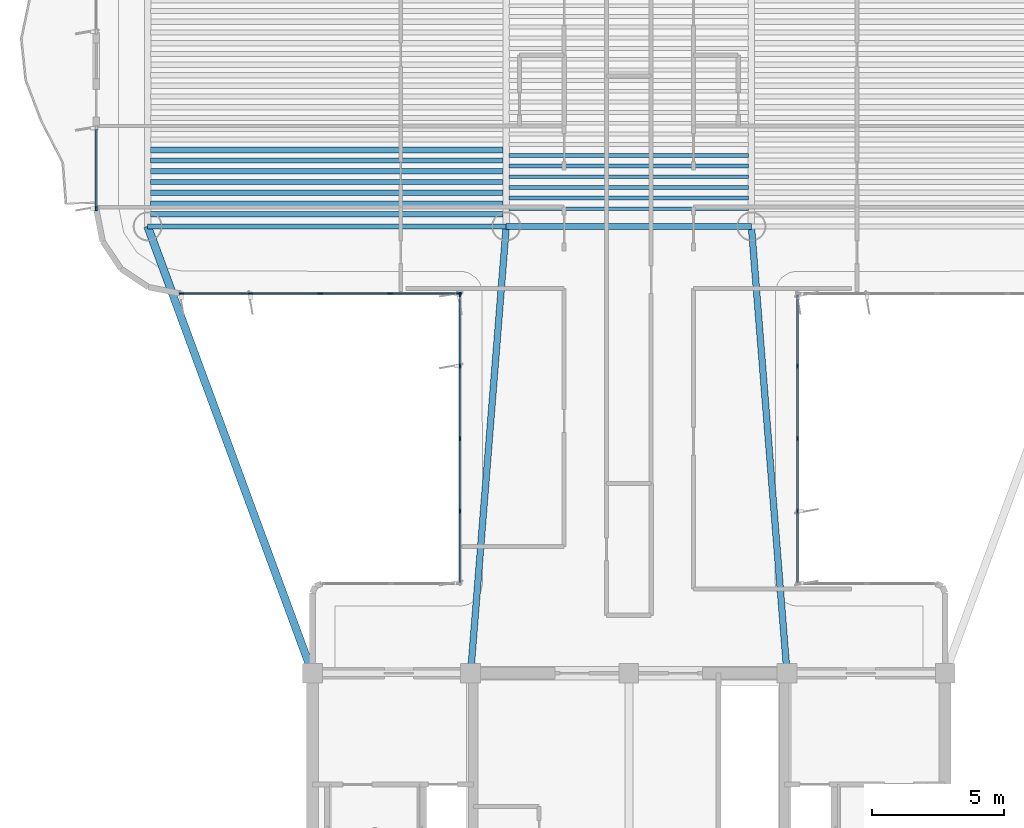
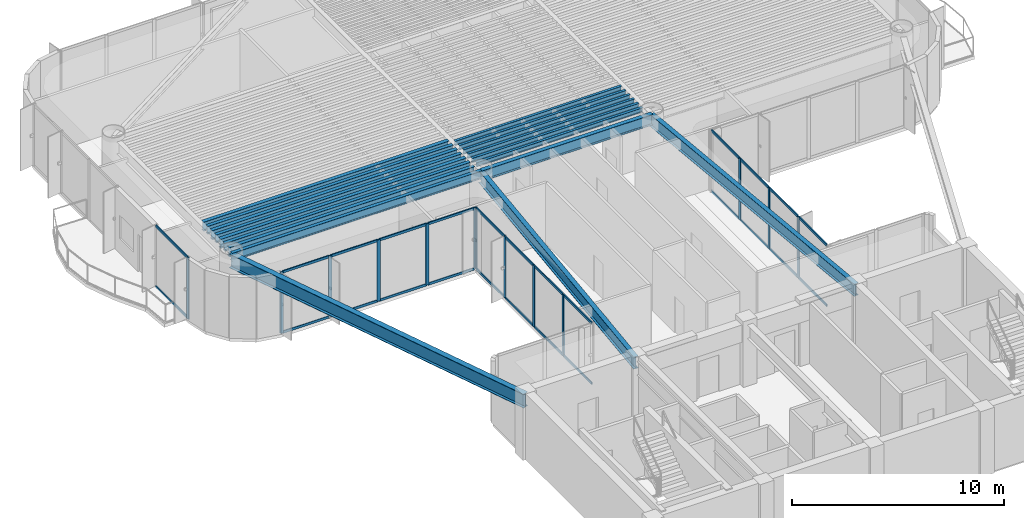
# One storey, part 3 of 15: 39 members, 18 beams, 4 elements without a shape of their own.
"""IFC4 building model written with IfcOpenShell, lengths in metres."""

from ifc_helpers import new_model, si_unit, direction, frame, origin, origin_2d, place, context, subcontext, project, spatial, rectangle, i_section, extrude, source, transform, mapped, material, layer, layer_set, material_profile, profile_set, type_object, element, aggregate, save


model = new_model("IFC4")

# Units and contexts
model_context = context("Model", 3, precision=1e-05, world=origin(), true_north=direction((0.0, 1.0)))
body_context = subcontext(model_context, "Body", "Model", "MODEL_VIEW")
ifc_project = project(units=[si_unit("LENGTHUNIT", "METRE"), si_unit("AREAUNIT", "SQUARE_METRE"), si_unit("VOLUMEUNIT", "CUBIC_METRE"), si_unit("PLANEANGLEUNIT", "RADIAN"), si_unit("MASSUNIT", "GRAM", prefix="KILO")], contexts=[model_context])

# Site, building, storey
site_placement = place(None, origin())
site = spatial("IfcSite", under=ifc_project, at=site_placement, CompositionType="ELEMENT")
building_placement = place(site_placement, origin())
building = spatial("IfcBuilding", under=site, at=building_placement, Name="Brelvock Crest Care Tower", CompositionType="ELEMENT")
storey_placement = place(building_placement, frame((0.0, 0.0, 171.5400390625)))
storey = spatial("IfcBuildingStorey", under=building, at=storey_placement, Name="L43", CompositionType="ELEMENT", Elevation=171.5400390625)

# Beams
ifc_material_1 = material(Name="Steel Grade 350", Category="steel")
ifc_material_profile_1 = material_profile(ifc_material_1, i_section(OverallWidth=0.22900390625, OverallDepth=0.612060546875, WebThickness=0.011962890625, FlangeThickness=0.01953125, FilletRadius=0.013916015625, at=origin_2d()), Name="610UB125")
ifc_profile_set_1 = profile_set([ifc_material_profile_1], Name="Steel Grade 350")
beam_type_1 = type_object("IfcBeamType", Name="BM-G1", PredefinedType="BEAM", material=ifc_profile_set_1)
shared_shape_1 = source(origin(), body_context, "Body", "SweptSolid", [
    extrude(i_section(OverallWidth=0.22900390625, OverallDepth=0.612060546875, WebThickness=0.011962890625, FlangeThickness=0.01953125, FilletRadius=0.013916015625, at=origin_2d()), origin(), (0.0, 0.0, 1.0), 9.2998046875),
])
beam_1_placement = place(storey_placement, frame((31.35009765625, 34.949951171875, 3.223876953125), z_axis=(1.0, 0.0, 0.0), x_axis=(0.0, 1.0, 0.0)))
element("IfcBeam", 1, at=beam_1_placement, inside=storey, type_object=beam_type_1, Name="BM-TWR-L43-05", PredefinedType="BEAM", context=body_context, shape_type="MappedRepresentation", body=[
    mapped(shared_shape_1, transform((0.0, 0.0, 0.0), x_axis=(1.0, 0.0, 0.0), y_axis=(0.0, 1.0, 0.0), z_axis=(0.0, 0.0, 1.0), scale=1.0)),
])
ifc_material_profile_2 = material_profile(ifc_material_1, i_section(OverallWidth=0.14599609375, OverallDepth=0.256103515625, WebThickness=0.00634765625, FlangeThickness=0.010986328125, FilletRadius=0.0087890625, at=origin_2d()), Name="250UB37.3")
ifc_profile_set_2 = profile_set([ifc_material_profile_2], Name="Steel Grade 350")
beam_type_2 = type_object("IfcBeamType", Name="BM-J3", PredefinedType="JOIST", material=ifc_profile_set_2)
shared_shape_2 = source(origin(), body_context, "Body", "SweptSolid", [
    extrude(i_section(OverallWidth=0.14599609375, OverallDepth=0.256103515625, WebThickness=0.00634765625, FlangeThickness=0.010986328125, FilletRadius=0.0087890625, at=origin_2d()), origin(), (0.0, 0.0, 1.0), 9.06982421875),
])
for number, where, z_axis, x_axis, name in (
    (2, (31.465087890625, 35.618896484375, 3.40185546875), (1.0, 0.0, 0.0), (0.0, 1.0, 0.0), "BM-JH-L43-1"),
    (3, (31.465087890625, 36.02392578125, 3.40185546875), (1.0, 0.0, 0.0), (0.0, 1.0, 0.0), "BM-JH-L43-2"),
    (4, (31.465087890625, 36.42919921875, 3.40185546875), (1.0, 0.0, 0.0), (0.0, 1.0, 0.0), "BM-JH-L43-3"),
    (5, (31.465087890625, 36.834228515625, 3.40185546875), (1.0, 0.0, 0.0), (0.0, 1.0, 0.0), "BM-JH-L43-4"),
    (6, (31.465087890625, 37.239501953125, 3.40185546875), (1.0, 0.0, 0.0), (0.0, 1.0, 0.0), "BM-JH-L43-5"),
    (7, (31.465087890625, 37.64453125, 3.40185546875), (1.0, 0.0, 0.0), (0.0, 1.0, 0.0), "BM-JH-L43-6"),
):
    element("IfcBeam", number, at=place(storey_placement, frame(where, z_axis=z_axis, x_axis=x_axis)), inside=storey, type_object=beam_type_2, Name=name, PredefinedType="JOIST", context=body_context, shape_type="MappedRepresentation", body=[
        mapped(shared_shape_2, transform((0.0, 0.0, 0.0), x_axis=(1.0, 0.0, 0.0), y_axis=(0.0, 1.0, 0.0), z_axis=(0.0, 0.0, 1.0), scale=1.0)),
    ])
ifc_material_profile_3 = material_profile(ifc_material_1, i_section(OverallWidth=0.208984375, OverallDepth=0.532958984375, WebThickness=0.01025390625, FlangeThickness=0.015625, FilletRadius=0.013916015625, at=origin_2d()), Name="530UB92.4")
ifc_profile_set_3 = profile_set([ifc_material_profile_3], Name="Steel Grade 350")
beam_type_3 = type_object("IfcBeamType", Name="BM-G2", PredefinedType="BEAM", material=ifc_profile_set_3)
shared_shape_3 = source(origin(), body_context, "Body", "SweptSolid", [
    extrude(i_section(OverallWidth=0.208984375, OverallDepth=0.532958984375, WebThickness=0.01025390625, FlangeThickness=0.015625, FilletRadius=0.013916015625, at=origin_2d()), origin(), (0.0, 0.0, 1.0), 13.3701171875),
])
for number, where, z_axis, x_axis, name in (
    (8, (17.864990234375, 35.416259765625, 3.263427734375), (1.0, 0.0, 0.0), (0.0, 1.0, 0.0), "BM-JW-L43-1"),
    (9, (17.864990234375, 36.2265625, 3.263427734375), (1.0, 0.0, 0.0), (0.0, 1.0, 0.0), "BM-JW-L43-3"),
    (10, (17.864990234375, 37.036865234375, 3.263427734375), (1.0, 0.0, 0.0), (0.0, 1.0, 0.0), "BM-JW-L43-5"),
    (11, (17.864990234375, 37.84716796875, 3.263427734375), (1.0, 0.0, 0.0), (0.0, 1.0, 0.0), "BM-JW-L43-7"),
):
    element("IfcBeam", number, at=place(storey_placement, frame(where, z_axis=z_axis, x_axis=x_axis)), inside=storey, type_object=beam_type_3, Name=name, PredefinedType="BEAM", context=body_context, shape_type="MappedRepresentation", body=[
        mapped(shared_shape_3, transform((0.0, 0.0, 0.0), x_axis=(1.0, 0.0, 0.0), y_axis=(0.0, 1.0, 0.0), z_axis=(0.0, 0.0, 1.0), scale=1.0)),
    ])
ifc_material_profile_4 = material_profile(ifc_material_1, i_section(OverallWidth=0.19091796875, OverallDepth=0.4599609375, WebThickness=0.010009765625, FlangeThickness=0.01611328125, FilletRadius=0.011474609375, at=origin_2d()), Name="460UB82.1")
ifc_profile_set_4 = profile_set([ifc_material_profile_4], Name="Steel Grade 350")
beam_type_4 = type_object("IfcBeamType", Name="BM-G3", PredefinedType="BEAM", material=ifc_profile_set_4)
shared_shape_4 = source(origin(), body_context, "Body", "SweptSolid", [
    extrude(i_section(OverallWidth=0.19091796875, OverallDepth=0.4599609375, WebThickness=0.010009765625, FlangeThickness=0.01611328125, FilletRadius=0.011474609375, at=origin_2d()), origin(), (0.0, 0.0, 1.0), 13.3701171875),
])
for number, where, z_axis, x_axis, name in (
    (12, (17.864990234375, 35.8212890625, 3.300048828125), (1.0, 0.0, 0.0), (0.0, 1.0, 0.0), "BM-JW-L43-2"),
    (13, (17.864990234375, 36.631591796875, 3.300048828125), (1.0, 0.0, 0.0), (0.0, 1.0, 0.0), "BM-JW-L43-4"),
    (14, (17.864990234375, 37.44189453125, 3.300048828125), (1.0, 0.0, 0.0), (0.0, 1.0, 0.0), "BM-JW-L43-6"),
):
    element("IfcBeam", number, at=place(storey_placement, frame(where, z_axis=z_axis, x_axis=x_axis)), inside=storey, type_object=beam_type_4, Name=name, PredefinedType="BEAM", context=body_context, shape_type="MappedRepresentation", body=[
        mapped(shared_shape_4, transform((0.0, 0.0, 0.0), x_axis=(1.0, 0.0, 0.0), y_axis=(0.0, 1.0, 0.0), z_axis=(0.0, 0.0, 1.0), scale=1.0)),
    ])
ifc_material_profile_5 = material_profile(ifc_material_1, i_section(OverallWidth=0.19091796875, OverallDepth=0.4599609375, WebThickness=0.010009765625, FlangeThickness=0.01611328125, FilletRadius=0.011474609375, at=origin_2d()), Name="460UB82.1")
ifc_profile_set_5 = profile_set([ifc_material_profile_5], Name="Steel Grade 350")
beam_type_5 = type_object("IfcBeamType", Name="BM-SP2", PredefinedType="SPANDREL", material=ifc_profile_set_5)
shared_shape_5 = source(origin(), body_context, "Body", "SweptSolid", [
    extrude(i_section(OverallWidth=0.19091796875, OverallDepth=0.4599609375, WebThickness=0.010009765625, FlangeThickness=0.01611328125, FilletRadius=0.011474609375, at=origin_2d()), origin(), (0.0, 0.0, 1.0), 13.60009765625),
])
beam_2_placement = place(storey_placement, frame((17.75, 34.949951171875, 3.300048828125), z_axis=(1.0, 0.0, 0.0), x_axis=(0.0, 1.0, 0.0)))
element("IfcBeam", 15, at=beam_2_placement, inside=storey, type_object=beam_type_5, Name="BM-TWR-L43-03", PredefinedType="SPANDREL", context=body_context, shape_type="MappedRepresentation", body=[
    mapped(shared_shape_5, transform((0.0, 0.0, 0.0), x_axis=(1.0, 0.0, 0.0), y_axis=(0.0, 1.0, 0.0), z_axis=(0.0, 0.0, 1.0), scale=1.0)),
])
ifc_material_profile_6 = material_profile(ifc_material_1, i_section(OverallWidth=0.25, OverallDepth=0.699951171875, WebThickness=0.011962890625, FlangeThickness=0.02001953125, at=origin_2d()), Name="700WB150")
ifc_profile_set_6 = profile_set([ifc_material_profile_6], Name="Steel Grade 350")
beam_type_6 = type_object("IfcBeamType", Name="BM-G4", PredefinedType="BEAM", material=ifc_profile_set_6)
shared_shape_6 = source(origin(), body_context, "Body", "SweptSolid", [
    extrude(i_section(OverallWidth=0.25, OverallDepth=0.699951171875, WebThickness=0.011962890625, FlangeThickness=0.02001953125, at=origin_2d()), origin(), (0.0, 0.0, 1.0), 17.003662109375),
])
for number, where, z_axis, x_axis, name in (
    (16, (30.0, 18.0, 3.179931640625), (0.079400530776, 0.996842793881, 0.0), (-0.996842793881, 0.079400530776, 0.0), "BM-THRW-L43"),
    (17, (42.0, 18.0, 3.179931640625), (-0.079400530776, 0.996842793881, 0.0), (-0.996842793881, -0.079400530776, 0.0), "BM-THRE-L43"),
):
    element("IfcBeam", number, at=place(storey_placement, frame(where, z_axis=z_axis, x_axis=x_axis)), inside=storey, type_object=beam_type_6, Name=name, PredefinedType="BEAM", context=body_context, shape_type="MappedRepresentation", body=[
        mapped(shared_shape_6, transform((0.0, 0.0, 0.0), x_axis=(1.0, 0.0, 0.0), y_axis=(0.0, 1.0, 0.0), z_axis=(0.0, 0.0, 1.0), scale=1.0)),
    ])
ifc_material_profile_7 = material_profile(ifc_material_1, i_section(OverallWidth=0.300048828125, OverallDepth=0.800048828125, WebThickness=0.013916015625, FlangeThickness=0.02197265625, at=origin_2d()), Name="800WB192")
ifc_profile_set_7 = profile_set([ifc_material_profile_7], Name="Steel Grade 350")
beam_type_7 = type_object("IfcBeamType", Name="BM-G5", PredefinedType="BEAM", material=ifc_profile_set_7)
shared_shape_7 = source(origin(), body_context, "Body", "SweptSolid", [
    extrude(i_section(OverallWidth=0.300048828125, OverallDepth=0.800048828125, WebThickness=0.013916015625, FlangeThickness=0.02197265625, at=origin_2d()), origin(), (0.0, 0.0, 1.0), 18.0654296875),
])
beam_3_placement = place(storey_placement, frame((24.0, 18.0, 3.1298828125), z_axis=(-0.345962741309, 0.938248251597, 0.0), x_axis=(-0.938248251597, -0.345962741309, 0.0)))
element("IfcBeam", 18, at=beam_3_placement, inside=storey, type_object=beam_type_7, Name="BM-THRO-W-L43", PredefinedType="BEAM", context=body_context, shape_type="MappedRepresentation", body=[
    mapped(shared_shape_7, transform((0.0, 0.0, 0.0), x_axis=(1.0, 0.0, 0.0), y_axis=(0.0, 1.0, 0.0), z_axis=(0.0, 0.0, 1.0), scale=1.0)),
])

# Curtain wall, members
ifc_material_2 = material(Name="Dark Glass Double Glazed Low-E", Category="glass")
ifc_layer = layer(ifc_material_2, 0.22509765625, Name="CWS-4")
ifc_layer_set = layer_set([ifc_layer], Name="Dark Glass Double Glazed Low-E")
curtain_wall_type = type_object("IfcCurtainWallType", Name="CWS-4", PredefinedType="NOTDEFINED", material=ifc_layer_set)
curtain_wall_1_placement = place(storey_placement, origin())
curtain_wall_1 = element("IfcCurtainWall", 19, at=curtain_wall_1_placement, inside=storey, type_object=curtain_wall_type, Name="L43 Curtain Wall E11", PredefinedType="NOTDEFINED")
ifc_material_3 = material(Name="Aluminium 6063-T6", Category="aluminium")
ifc_material_profile_8 = material_profile(ifc_material_3, rectangle(XDim=0.06005859375, YDim=0.179931640625, at=origin_2d()), Name="ALU60x180")
ifc_profile_set_8 = profile_set([ifc_material_profile_8], Name="Aluminium 6063-T6")
member_type_1 = type_object("IfcMemberType", Name="CWM-2", PredefinedType="MULLION", material=ifc_profile_set_8)
shared_shape_8 = source(origin(), body_context, "Body", "SweptSolid", [
    extrude(rectangle(XDim=0.06005859375, YDim=0.179931640625, at=origin_2d()), origin(), (0.0, 0.0, 1.0), 3.530029296875),
])
member_1_placement = place(storey_placement, frame((29.60009765625, 24.14990234375, 0.0), z_axis=(0.0, 0.0, 1.0), x_axis=(-1.0, 0.0, 0.0)))
member_1 = element("IfcMember", 20, at=member_1_placement, type_object=member_type_1, Name="CW-4 mullion 2", PredefinedType="MULLION", context=body_context, shape_type="MappedRepresentation", body=[
    mapped(shared_shape_8, transform((0.0, 0.0, 0.0), x_axis=(1.0, 0.0, 0.0), y_axis=(0.0, 1.0, 0.0), z_axis=(0.0, 0.0, 1.0), scale=1.0)),
])
member_2_placement = place(storey_placement, frame((29.60009765625, 26.89990234375, 0.0), z_axis=(0.0, 0.0, 1.0), x_axis=(-1.0, 0.0, 0.0)))
member_2 = element("IfcMember", 21, at=member_2_placement, type_object=member_type_1, Name="CW-4 mullion 3", PredefinedType="MULLION", context=body_context, shape_type="MappedRepresentation", body=[
    mapped(shared_shape_8, transform((0.0, 0.0, 0.0), x_axis=(1.0, 0.0, 0.0), y_axis=(0.0, 1.0, 0.0), z_axis=(0.0, 0.0, 1.0), scale=1.0)),
])
member_3_placement = place(storey_placement, frame((29.60009765625, 29.64990234375, 0.0), z_axis=(0.0, 0.0, 1.0), x_axis=(-1.0, 0.0, 0.0)))
member_3 = element("IfcMember", 22, at=member_3_placement, type_object=member_type_1, Name="CW-4 mullion 4", PredefinedType="MULLION", context=body_context, shape_type="MappedRepresentation", body=[
    mapped(shared_shape_8, transform((0.0, 0.0, 0.0), x_axis=(1.0, 0.0, 0.0), y_axis=(0.0, 1.0, 0.0), z_axis=(0.0, 0.0, 1.0), scale=1.0)),
])
member_4_placement = place(storey_placement, frame((29.60009765625, 32.3701171875, 0.0), z_axis=(0.0, 0.0, 1.0), x_axis=(-1.0, 0.0, 0.0)))
member_4 = element("IfcMember", 23, at=member_4_placement, type_object=member_type_1, Name="CW-4 mullion 5", PredefinedType="MULLION", context=body_context, shape_type="MappedRepresentation", body=[
    mapped(shared_shape_8, transform((0.0, 0.0, 0.0), x_axis=(1.0, 0.0, 0.0), y_axis=(0.0, 1.0, 0.0), z_axis=(0.0, 0.0, 1.0), scale=1.0)),
])

curtain_wall_2_placement = place(storey_placement, origin())
curtain_wall_2 = element("IfcCurtainWall", 24, at=curtain_wall_2_placement, inside=storey, type_object=curtain_wall_type, Name="L43 Curtain Wall E12", PredefinedType="NOTDEFINED")
member_5_placement = place(storey_placement, frame((29.570068359375, 32.39990234375, 0.0), z_axis=(0.0, 0.0, 1.0), x_axis=(0.0, -1.0, 0.0)))
member_5 = element("IfcMember", 25, at=member_5_placement, type_object=member_type_1, Name="CW-4 mullion 1", PredefinedType="MULLION", context=body_context, shape_type="MappedRepresentation", body=[
    mapped(shared_shape_8, transform((0.0, 0.0, 0.0), x_axis=(1.0, 0.0, 0.0), y_axis=(0.0, 1.0, 0.0), z_axis=(0.0, 0.0, 1.0), scale=1.0)),
])
member_6_placement = place(storey_placement, frame((26.949951171875, 32.39990234375, 0.0), z_axis=(0.0, 0.0, 1.0), x_axis=(0.0, -1.0, 0.0)))
member_6 = element("IfcMember", 26, at=member_6_placement, type_object=member_type_1, Name="CW-4 mullion 2", PredefinedType="MULLION", context=body_context, shape_type="MappedRepresentation", body=[
    mapped(shared_shape_8, transform((0.0, 0.0, 0.0), x_axis=(1.0, 0.0, 0.0), y_axis=(0.0, 1.0, 0.0), z_axis=(0.0, 0.0, 1.0), scale=1.0)),
])
member_7_placement = place(storey_placement, frame((24.300048828125, 32.39990234375, 0.0), z_axis=(0.0, 0.0, 1.0), x_axis=(0.0, -1.0, 0.0)))
member_7 = element("IfcMember", 27, at=member_7_placement, type_object=member_type_1, Name="CW-4 mullion 3", PredefinedType="MULLION", context=body_context, shape_type="MappedRepresentation", body=[
    mapped(shared_shape_8, transform((0.0, 0.0, 0.0), x_axis=(1.0, 0.0, 0.0), y_axis=(0.0, 1.0, 0.0), z_axis=(0.0, 0.0, 1.0), scale=1.0)),
])
member_8_placement = place(storey_placement, frame((21.64990234375, 32.39990234375, 0.0), z_axis=(0.0, 0.0, 1.0), x_axis=(0.0, -1.0, 0.0)))
member_8 = element("IfcMember", 28, at=member_8_placement, type_object=member_type_1, Name="CW-4 mullion 4", PredefinedType="MULLION", context=body_context, shape_type="MappedRepresentation", body=[
    mapped(shared_shape_8, transform((0.0, 0.0, 0.0), x_axis=(1.0, 0.0, 0.0), y_axis=(0.0, 1.0, 0.0), z_axis=(0.0, 0.0, 1.0), scale=1.0)),
])
member_9_placement = place(storey_placement, frame((19.030029296875, 32.39990234375, 0.0), z_axis=(0.0, 0.0, 1.0), x_axis=(0.0, -1.0, 0.0)))
member_9 = element("IfcMember", 29, at=member_9_placement, type_object=member_type_1, Name="CW-4 mullion 5", PredefinedType="MULLION", context=body_context, shape_type="MappedRepresentation", body=[
    mapped(shared_shape_8, transform((0.0, 0.0, 0.0), x_axis=(1.0, 0.0, 0.0), y_axis=(0.0, 1.0, 0.0), z_axis=(0.0, 0.0, 1.0), scale=1.0)),
])

# Curtain wall, member
curtain_wall_3_placement = place(storey_placement, origin())
curtain_wall_3 = element("IfcCurtainWall", 30, at=curtain_wall_3_placement, inside=storey, type_object=curtain_wall_type, Name="L43 Curtain Wall E17A", PredefinedType="NOTDEFINED")
member_10_placement = place(storey_placement, frame((15.800048828125, 35.6298828125, 0.0), z_axis=(0.0, 0.0, 1.0), x_axis=(-1.0, 0.0, 0.0)))
member_10 = element("IfcMember", 31, at=member_10_placement, type_object=member_type_1, Name="CW-4 mullion 1", PredefinedType="MULLION", context=body_context, shape_type="MappedRepresentation", body=[
    mapped(shared_shape_8, transform((0.0, 0.0, 0.0), x_axis=(1.0, 0.0, 0.0), y_axis=(0.0, 1.0, 0.0), z_axis=(0.0, 0.0, 1.0), scale=1.0)),
])

# Curtain wall, members
curtain_wall_4_placement = place(storey_placement, origin())
curtain_wall_4 = element("IfcCurtainWall", 32, at=curtain_wall_4_placement, inside=storey, type_object=curtain_wall_type, Name="L43 Curtain Wall E45", PredefinedType="NOTDEFINED")
member_11_placement = place(storey_placement, frame((42.39990234375, 29.64990234375, 0.0), z_axis=(0.0, 0.0, 1.0), x_axis=(1.0, 0.0, 0.0)))
member_11 = element("IfcMember", 33, at=member_11_placement, type_object=member_type_1, Name="CW-4 mullion 2", PredefinedType="MULLION", context=body_context, shape_type="MappedRepresentation", body=[
    mapped(shared_shape_8, transform((0.0, 0.0, 0.0), x_axis=(1.0, 0.0, 0.0), y_axis=(0.0, 1.0, 0.0), z_axis=(0.0, 0.0, 1.0), scale=1.0)),
])
member_12_placement = place(storey_placement, frame((42.39990234375, 26.89990234375, 0.0), z_axis=(0.0, 0.0, 1.0), x_axis=(1.0, 0.0, 0.0)))
member_12 = element("IfcMember", 34, at=member_12_placement, type_object=member_type_1, Name="CW-4 mullion 3", PredefinedType="MULLION", context=body_context, shape_type="MappedRepresentation", body=[
    mapped(shared_shape_8, transform((0.0, 0.0, 0.0), x_axis=(1.0, 0.0, 0.0), y_axis=(0.0, 1.0, 0.0), z_axis=(0.0, 0.0, 1.0), scale=1.0)),
])
member_13_placement = place(storey_placement, frame((42.39990234375, 24.14990234375, 0.0), z_axis=(0.0, 0.0, 1.0), x_axis=(1.0, 0.0, 0.0)))
member_13 = element("IfcMember", 35, at=member_13_placement, type_object=member_type_1, Name="CW-4 mullion 4", PredefinedType="MULLION", context=body_context, shape_type="MappedRepresentation", body=[
    mapped(shared_shape_8, transform((0.0, 0.0, 0.0), x_axis=(1.0, 0.0, 0.0), y_axis=(0.0, 1.0, 0.0), z_axis=(0.0, 0.0, 1.0), scale=1.0)),
])

# Member
ifc_material_profile_9 = material_profile(ifc_material_3, rectangle(XDim=0.06005859375, YDim=0.139892578125, at=origin_2d()), Name="ALU60x140")
ifc_profile_set_9 = profile_set([ifc_material_profile_9], Name="Aluminium 6063-T6")
member_type_2 = type_object("IfcMemberType", Name="CWT-2", PredefinedType="USERDEFINED", material=ifc_profile_set_9)
shared_shape_9 = source(origin(), body_context, "Body", "SweptSolid", [
    extrude(rectangle(XDim=0.06005859375, YDim=0.139892578125, at=origin_2d()), origin(), (0.0, 0.0, 1.0), 2.66015625),
])
member_14_placement = place(storey_placement, frame((29.60009765625, 21.4599609375, 0.030029296875), z_axis=(0.0, 1.0, 0.0), x_axis=(-1.0, 0.0, 0.0)))
member_14 = element("IfcMember", 36, at=member_14_placement, type_object=member_type_2, Name="CW-4 transom 1.1", ObjectType="TRANSOM", PredefinedType="USERDEFINED", context=body_context, shape_type="MappedRepresentation", body=[
    mapped(shared_shape_9, transform((0.0, 0.0, 0.0), x_axis=(1.0, 0.0, 0.0), y_axis=(0.0, 1.0, 0.0), z_axis=(0.0, 0.0, 1.0), scale=1.0)),
])

member_15_placement = place(storey_placement, frame((29.60009765625, 21.4599609375, 3.5), z_axis=(0.0, 1.0, 0.0), x_axis=(-1.0, 0.0, 0.0)))
member_15 = element("IfcMember", 37, at=member_15_placement, type_object=member_type_2, Name="CW-4 transom 1.2", ObjectType="TRANSOM", PredefinedType="USERDEFINED", context=body_context, shape_type="MappedRepresentation", body=[
    mapped(shared_shape_9, transform((0.0, 0.0, 0.0), x_axis=(1.0, 0.0, 0.0), y_axis=(0.0, 1.0, 0.0), z_axis=(0.0, 0.0, 1.0), scale=1.0)),
])

member_16_placement = place(storey_placement, frame((29.60009765625, 29.679931640625, 0.030029296875), z_axis=(0.0, 1.0, 0.0), x_axis=(-1.0, 0.0, 0.0)))
member_16 = element("IfcMember", 38, at=member_16_placement, type_object=member_type_2, Name="CW-4 transom 4.1", ObjectType="TRANSOM", PredefinedType="USERDEFINED", context=body_context, shape_type="MappedRepresentation", body=[
    mapped(shared_shape_9, transform((0.0, 0.0, 0.0), x_axis=(1.0, 0.0, 0.0), y_axis=(0.0, 1.0, 0.0), z_axis=(0.0, 0.0, 1.0), scale=1.0)),
])

member_17_placement = place(storey_placement, frame((29.60009765625, 29.679931640625, 3.5), z_axis=(0.0, 1.0, 0.0), x_axis=(-1.0, 0.0, 0.0)))
member_17 = element("IfcMember", 39, at=member_17_placement, type_object=member_type_2, Name="CW-4 transom 4.2", ObjectType="TRANSOM", PredefinedType="USERDEFINED", context=body_context, shape_type="MappedRepresentation", body=[
    mapped(shared_shape_9, transform((0.0, 0.0, 0.0), x_axis=(1.0, 0.0, 0.0), y_axis=(0.0, 1.0, 0.0), z_axis=(0.0, 0.0, 1.0), scale=1.0)),
])

member_18_placement = place(storey_placement, frame((42.39990234375, 32.340087890625, 0.030029296875), z_axis=(0.0, -1.0, 0.0), x_axis=(1.0, 0.0, 0.0)))
member_18 = element("IfcMember", 40, at=member_18_placement, type_object=member_type_2, Name="CW-4 transom 1.1", ObjectType="TRANSOM", PredefinedType="USERDEFINED", context=body_context, shape_type="MappedRepresentation", body=[
    mapped(shared_shape_9, transform((0.0, 0.0, 0.0), x_axis=(1.0, 0.0, 0.0), y_axis=(0.0, 1.0, 0.0), z_axis=(0.0, 0.0, 1.0), scale=1.0)),
])

member_19_placement = place(storey_placement, frame((42.39990234375, 32.340087890625, 3.5), z_axis=(0.0, -1.0, 0.0), x_axis=(1.0, 0.0, 0.0)))
member_19 = element("IfcMember", 41, at=member_19_placement, type_object=member_type_2, Name="CW-4 transom 1.2", ObjectType="TRANSOM", PredefinedType="USERDEFINED", context=body_context, shape_type="MappedRepresentation", body=[
    mapped(shared_shape_9, transform((0.0, 0.0, 0.0), x_axis=(1.0, 0.0, 0.0), y_axis=(0.0, 1.0, 0.0), z_axis=(0.0, 0.0, 1.0), scale=1.0)),
])

member_20_placement = place(storey_placement, frame((42.39990234375, 24.1201171875, 0.030029296875), z_axis=(0.0, -1.0, 0.0), x_axis=(1.0, 0.0, 0.0)))
member_20 = element("IfcMember", 42, at=member_20_placement, type_object=member_type_2, Name="CW-4 transom 4.1", ObjectType="TRANSOM", PredefinedType="USERDEFINED", context=body_context, shape_type="MappedRepresentation", body=[
    mapped(shared_shape_9, transform((0.0, 0.0, 0.0), x_axis=(1.0, 0.0, 0.0), y_axis=(0.0, 1.0, 0.0), z_axis=(0.0, 0.0, 1.0), scale=1.0)),
])

member_21_placement = place(storey_placement, frame((42.39990234375, 24.1201171875, 3.5), z_axis=(0.0, -1.0, 0.0), x_axis=(1.0, 0.0, 0.0)))
member_21 = element("IfcMember", 43, at=member_21_placement, type_object=member_type_2, Name="CW-4 transom 4.2", ObjectType="TRANSOM", PredefinedType="USERDEFINED", context=body_context, shape_type="MappedRepresentation", body=[
    mapped(shared_shape_9, transform((0.0, 0.0, 0.0), x_axis=(1.0, 0.0, 0.0), y_axis=(0.0, 1.0, 0.0), z_axis=(0.0, 0.0, 1.0), scale=1.0)),
])

shared_shape_10 = source(origin(), body_context, "Body", "SweptSolid", [
    extrude(rectangle(XDim=0.06005859375, YDim=0.139892578125, at=origin_2d()), origin(), (0.0, 0.0, 1.0), 2.690185546875),
])
member_22_placement = place(storey_placement, frame((29.60009765625, 24.179931640625, 0.030029296875), z_axis=(0.0, 1.0, 0.0), x_axis=(-1.0, 0.0, 0.0)))
member_22 = element("IfcMember", 44, at=member_22_placement, type_object=member_type_2, Name="CW-4 transom 2.1", ObjectType="TRANSOM", PredefinedType="USERDEFINED", context=body_context, shape_type="MappedRepresentation", body=[
    mapped(shared_shape_10, transform((0.0, 0.0, 0.0), x_axis=(1.0, 0.0, 0.0), y_axis=(0.0, 1.0, 0.0), z_axis=(0.0, 0.0, 1.0), scale=1.0)),
])

member_23_placement = place(storey_placement, frame((29.60009765625, 24.179931640625, 3.5), z_axis=(0.0, 1.0, 0.0), x_axis=(-1.0, 0.0, 0.0)))
member_23 = element("IfcMember", 45, at=member_23_placement, type_object=member_type_2, Name="CW-4 transom 2.2", ObjectType="TRANSOM", PredefinedType="USERDEFINED", context=body_context, shape_type="MappedRepresentation", body=[
    mapped(shared_shape_10, transform((0.0, 0.0, 0.0), x_axis=(1.0, 0.0, 0.0), y_axis=(0.0, 1.0, 0.0), z_axis=(0.0, 0.0, 1.0), scale=1.0)),
])

member_24_placement = place(storey_placement, frame((29.60009765625, 26.929931640625, 0.030029296875), z_axis=(0.0, 1.0, 0.0), x_axis=(-1.0, 0.0, 0.0)))
member_24 = element("IfcMember", 46, at=member_24_placement, type_object=member_type_2, Name="CW-4 transom 3.1", ObjectType="TRANSOM", PredefinedType="USERDEFINED", context=body_context, shape_type="MappedRepresentation", body=[
    mapped(shared_shape_10, transform((0.0, 0.0, 0.0), x_axis=(1.0, 0.0, 0.0), y_axis=(0.0, 1.0, 0.0), z_axis=(0.0, 0.0, 1.0), scale=1.0)),
])

member_25_placement = place(storey_placement, frame((29.60009765625, 26.929931640625, 3.5), z_axis=(0.0, 1.0, 0.0), x_axis=(-1.0, 0.0, 0.0)))
member_25 = element("IfcMember", 47, at=member_25_placement, type_object=member_type_2, Name="CW-4 transom 3.2", ObjectType="TRANSOM", PredefinedType="USERDEFINED", context=body_context, shape_type="MappedRepresentation", body=[
    mapped(shared_shape_10, transform((0.0, 0.0, 0.0), x_axis=(1.0, 0.0, 0.0), y_axis=(0.0, 1.0, 0.0), z_axis=(0.0, 0.0, 1.0), scale=1.0)),
])

aggregate(curtain_wall_1, [member_1, member_2, member_3, member_4, member_14, member_15, member_22, member_23, member_24, member_25, member_16, member_17])

member_26_placement = place(storey_placement, frame((42.39990234375, 29.6201171875, 0.030029296875), z_axis=(0.0, -1.0, 0.0), x_axis=(1.0, 0.0, 0.0)))
member_26 = element("IfcMember", 48, at=member_26_placement, type_object=member_type_2, Name="CW-4 transom 2.1", ObjectType="TRANSOM", PredefinedType="USERDEFINED", context=body_context, shape_type="MappedRepresentation", body=[
    mapped(shared_shape_10, transform((0.0, 0.0, 0.0), x_axis=(1.0, 0.0, 0.0), y_axis=(0.0, 1.0, 0.0), z_axis=(0.0, 0.0, 1.0), scale=1.0)),
])

member_27_placement = place(storey_placement, frame((42.39990234375, 29.6201171875, 3.5), z_axis=(0.0, -1.0, 0.0), x_axis=(1.0, 0.0, 0.0)))
member_27 = element("IfcMember", 49, at=member_27_placement, type_object=member_type_2, Name="CW-4 transom 2.2", ObjectType="TRANSOM", PredefinedType="USERDEFINED", context=body_context, shape_type="MappedRepresentation", body=[
    mapped(shared_shape_10, transform((0.0, 0.0, 0.0), x_axis=(1.0, 0.0, 0.0), y_axis=(0.0, 1.0, 0.0), z_axis=(0.0, 0.0, 1.0), scale=1.0)),
])

member_28_placement = place(storey_placement, frame((42.39990234375, 26.8701171875, 0.030029296875), z_axis=(0.0, -1.0, 0.0), x_axis=(1.0, 0.0, 0.0)))
member_28 = element("IfcMember", 50, at=member_28_placement, type_object=member_type_2, Name="CW-4 transom 3.1", ObjectType="TRANSOM", PredefinedType="USERDEFINED", context=body_context, shape_type="MappedRepresentation", body=[
    mapped(shared_shape_10, transform((0.0, 0.0, 0.0), x_axis=(1.0, 0.0, 0.0), y_axis=(0.0, 1.0, 0.0), z_axis=(0.0, 0.0, 1.0), scale=1.0)),
])

member_29_placement = place(storey_placement, frame((42.39990234375, 26.8701171875, 3.5), z_axis=(0.0, -1.0, 0.0), x_axis=(1.0, 0.0, 0.0)))
member_29 = element("IfcMember", 51, at=member_29_placement, type_object=member_type_2, Name="CW-4 transom 3.2", ObjectType="TRANSOM", PredefinedType="USERDEFINED", context=body_context, shape_type="MappedRepresentation", body=[
    mapped(shared_shape_10, transform((0.0, 0.0, 0.0), x_axis=(1.0, 0.0, 0.0), y_axis=(0.0, 1.0, 0.0), z_axis=(0.0, 0.0, 1.0), scale=1.0)),
])

aggregate(curtain_wall_4, [member_11, member_12, member_13, member_18, member_19, member_26, member_27, member_28, member_29, member_20, member_21])

shared_shape_11 = source(origin(), body_context, "Body", "SweptSolid", [
    extrude(rectangle(XDim=0.06005859375, YDim=0.139892578125, at=origin_2d()), origin(), (0.0, 0.0, 1.0), 2.56005859375),
])
member_30_placement = place(storey_placement, frame((29.5400390625, 32.39990234375, 0.030029296875), z_axis=(-1.0, 0.0, 0.0), x_axis=(0.0, -1.0, 0.0)))
member_30 = element("IfcMember", 52, at=member_30_placement, type_object=member_type_2, Name="CW-4 transom 1.1", ObjectType="TRANSOM", PredefinedType="USERDEFINED", context=body_context, shape_type="MappedRepresentation", body=[
    mapped(shared_shape_11, transform((0.0, 0.0, 0.0), x_axis=(1.0, 0.0, 0.0), y_axis=(0.0, 1.0, 0.0), z_axis=(0.0, 0.0, 1.0), scale=1.0)),
])

member_31_placement = place(storey_placement, frame((29.5400390625, 32.39990234375, 3.5), z_axis=(-1.0, 0.0, 0.0), x_axis=(0.0, -1.0, 0.0)))
member_31 = element("IfcMember", 53, at=member_31_placement, type_object=member_type_2, Name="CW-4 transom 1.2", ObjectType="TRANSOM", PredefinedType="USERDEFINED", context=body_context, shape_type="MappedRepresentation", body=[
    mapped(shared_shape_11, transform((0.0, 0.0, 0.0), x_axis=(1.0, 0.0, 0.0), y_axis=(0.0, 1.0, 0.0), z_axis=(0.0, 0.0, 1.0), scale=1.0)),
])

member_32_placement = place(storey_placement, frame((21.6201171875, 32.39990234375, 0.030029296875), z_axis=(-1.0, 0.0, 0.0), x_axis=(0.0, -1.0, 0.0)))
member_32 = element("IfcMember", 54, at=member_32_placement, type_object=member_type_2, Name="CW-4 transom 4.1", ObjectType="TRANSOM", PredefinedType="USERDEFINED", context=body_context, shape_type="MappedRepresentation", body=[
    mapped(shared_shape_11, transform((0.0, 0.0, 0.0), x_axis=(1.0, 0.0, 0.0), y_axis=(0.0, 1.0, 0.0), z_axis=(0.0, 0.0, 1.0), scale=1.0)),
])

member_33_placement = place(storey_placement, frame((21.6201171875, 32.39990234375, 3.5), z_axis=(-1.0, 0.0, 0.0), x_axis=(0.0, -1.0, 0.0)))
member_33 = element("IfcMember", 55, at=member_33_placement, type_object=member_type_2, Name="CW-4 transom 4.2", ObjectType="TRANSOM", PredefinedType="USERDEFINED", context=body_context, shape_type="MappedRepresentation", body=[
    mapped(shared_shape_11, transform((0.0, 0.0, 0.0), x_axis=(1.0, 0.0, 0.0), y_axis=(0.0, 1.0, 0.0), z_axis=(0.0, 0.0, 1.0), scale=1.0)),
])

shared_shape_12 = source(origin(), body_context, "Body", "SweptSolid", [
    extrude(rectangle(XDim=0.06005859375, YDim=0.139892578125, at=origin_2d()), origin(), (0.0, 0.0, 1.0), 2.58984375),
])
member_34_placement = place(storey_placement, frame((26.919921875, 32.39990234375, 0.030029296875), z_axis=(-1.0, 0.0, 0.0), x_axis=(0.0, -1.0, 0.0)))
member_34 = element("IfcMember", 56, at=member_34_placement, type_object=member_type_2, Name="CW-4 transom 2.1", ObjectType="TRANSOM", PredefinedType="USERDEFINED", context=body_context, shape_type="MappedRepresentation", body=[
    mapped(shared_shape_12, transform((0.0, 0.0, 0.0), x_axis=(1.0, 0.0, 0.0), y_axis=(0.0, 1.0, 0.0), z_axis=(0.0, 0.0, 1.0), scale=1.0)),
])

member_35_placement = place(storey_placement, frame((26.919921875, 32.39990234375, 3.5), z_axis=(-1.0, 0.0, 0.0), x_axis=(0.0, -1.0, 0.0)))
member_35 = element("IfcMember", 57, at=member_35_placement, type_object=member_type_2, Name="CW-4 transom 2.2", ObjectType="TRANSOM", PredefinedType="USERDEFINED", context=body_context, shape_type="MappedRepresentation", body=[
    mapped(shared_shape_12, transform((0.0, 0.0, 0.0), x_axis=(1.0, 0.0, 0.0), y_axis=(0.0, 1.0, 0.0), z_axis=(0.0, 0.0, 1.0), scale=1.0)),
])

shared_shape_13 = source(origin(), body_context, "Body", "SweptSolid", [
    extrude(rectangle(XDim=0.06005859375, YDim=0.139892578125, at=origin_2d()), origin(), (0.0, 0.0, 1.0), 2.590087890625),
])
member_36_placement = place(storey_placement, frame((24.27001953125, 32.39990234375, 0.030029296875), z_axis=(-1.0, 0.0, 0.0), x_axis=(0.0, -1.0, 0.0)))
member_36 = element("IfcMember", 58, at=member_36_placement, type_object=member_type_2, Name="CW-4 transom 3.1", ObjectType="TRANSOM", PredefinedType="USERDEFINED", context=body_context, shape_type="MappedRepresentation", body=[
    mapped(shared_shape_13, transform((0.0, 0.0, 0.0), x_axis=(1.0, 0.0, 0.0), y_axis=(0.0, 1.0, 0.0), z_axis=(0.0, 0.0, 1.0), scale=1.0)),
])

member_37_placement = place(storey_placement, frame((24.27001953125, 32.39990234375, 3.5), z_axis=(-1.0, 0.0, 0.0), x_axis=(0.0, -1.0, 0.0)))
member_37 = element("IfcMember", 59, at=member_37_placement, type_object=member_type_2, Name="CW-4 transom 3.2", ObjectType="TRANSOM", PredefinedType="USERDEFINED", context=body_context, shape_type="MappedRepresentation", body=[
    mapped(shared_shape_13, transform((0.0, 0.0, 0.0), x_axis=(1.0, 0.0, 0.0), y_axis=(0.0, 1.0, 0.0), z_axis=(0.0, 0.0, 1.0), scale=1.0)),
])

aggregate(curtain_wall_2, [member_5, member_6, member_7, member_8, member_9, member_30, member_31, member_34, member_35, member_36, member_37, member_32, member_33])

shared_shape_14 = source(origin(), body_context, "Body", "SweptSolid", [
    extrude(rectangle(XDim=0.06005859375, YDim=0.139892578125, at=origin_2d()), origin(), (0.0, 0.0, 1.0), 2.97998046875),
])
member_38_placement = place(storey_placement, frame((15.800048828125, 35.659912109375, 0.030029296875), z_axis=(0.0, 1.0, 0.0), x_axis=(-1.0, 0.0, 0.0)))
member_38 = element("IfcMember", 60, at=member_38_placement, type_object=member_type_2, Name="CW-4 transom 1.1", ObjectType="TRANSOM", PredefinedType="USERDEFINED", context=body_context, shape_type="MappedRepresentation", body=[
    mapped(shared_shape_14, transform((0.0, 0.0, 0.0), x_axis=(1.0, 0.0, 0.0), y_axis=(0.0, 1.0, 0.0), z_axis=(0.0, 0.0, 1.0), scale=1.0)),
])

member_39_placement = place(storey_placement, frame((15.800048828125, 35.659912109375, 3.5), z_axis=(0.0, 1.0, 0.0), x_axis=(-1.0, 0.0, 0.0)))
member_39 = element("IfcMember", 61, at=member_39_placement, type_object=member_type_2, Name="CW-4 transom 1.2", ObjectType="TRANSOM", PredefinedType="USERDEFINED", context=body_context, shape_type="MappedRepresentation", body=[
    mapped(shared_shape_14, transform((0.0, 0.0, 0.0), x_axis=(1.0, 0.0, 0.0), y_axis=(0.0, 1.0, 0.0), z_axis=(0.0, 0.0, 1.0), scale=1.0)),
])

aggregate(curtain_wall_3, [member_10, member_38, member_39])

save(model, "model.ifc")
